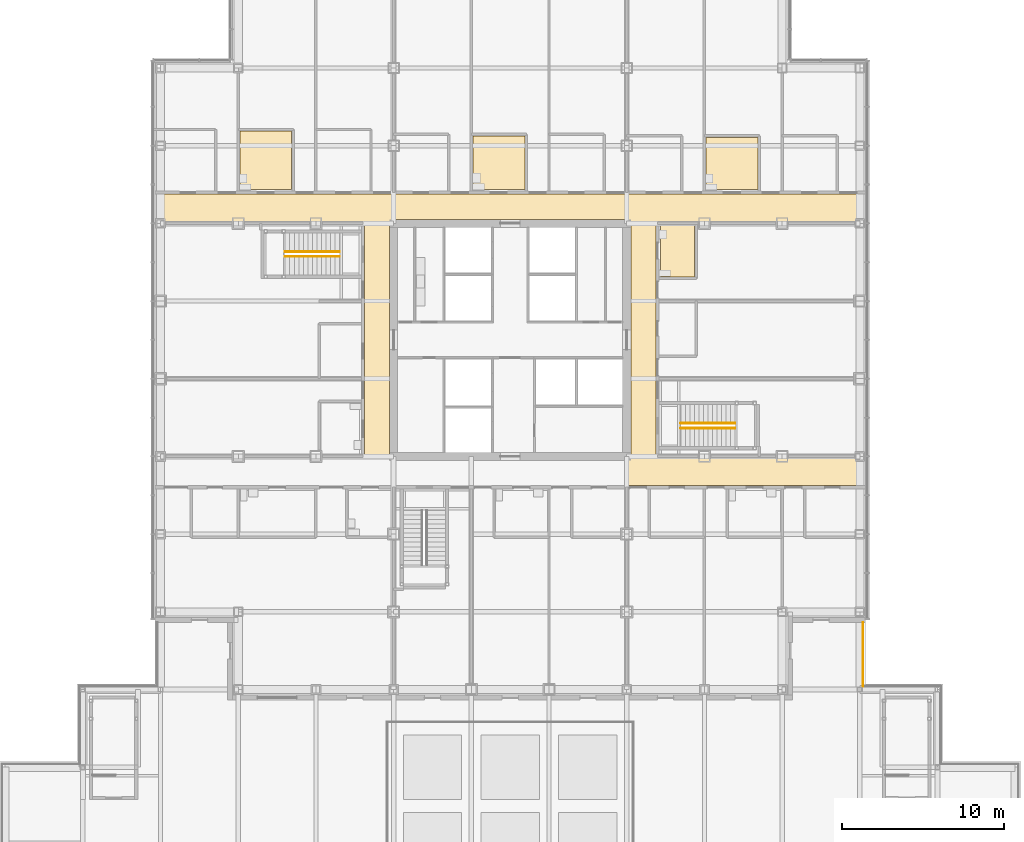
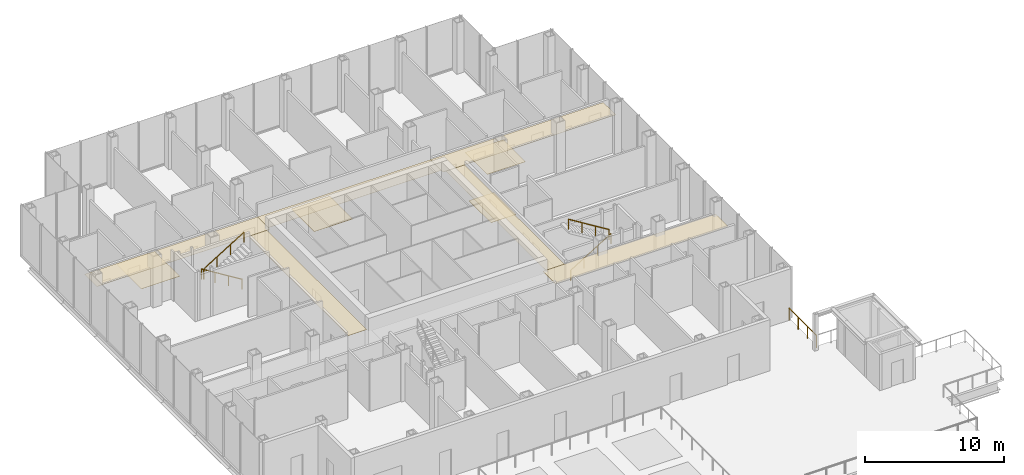
# One storey, part 22 of 24: 10 coverings, 5 railings.
"""IFC4 building model written with IfcOpenShell, lengths in metres."""

from ifc_helpers import new_model, si_unit, direction, frame, origin, origin_2d, place, context, subcontext, project, spatial, polyline, circle, outline, extrude, material, layer, layer_set, type_object, element, save


model = new_model("IFC4")

# Units and contexts
model_context = context("Model", 3, precision=1e-05, world=origin(), true_north=direction((0.0, 1.0)))
body_context = subcontext(model_context, "Body", "Model", "MODEL_VIEW")
ifc_project = project(units=[si_unit("LENGTHUNIT", "METRE"), si_unit("AREAUNIT", "SQUARE_METRE"), si_unit("VOLUMEUNIT", "CUBIC_METRE"), si_unit("PLANEANGLEUNIT", "RADIAN"), si_unit("MASSUNIT", "GRAM", prefix="KILO")], contexts=[model_context])

# Site, building, storey
site_placement = place(None, origin())
site = spatial("IfcSite", under=ifc_project, at=site_placement, CompositionType="ELEMENT")
building_placement = place(site_placement, origin())
building = spatial("IfcBuilding", under=site, at=building_placement, Name="Kvirike Care Tower", CompositionType="ELEMENT")
storey_placement = place(building_placement, frame((0.0, 0.0, 22.5)))
storey = spatial("IfcBuildingStorey", under=building, at=storey_placement, Name="L05", CompositionType="ELEMENT", Elevation=22.5)

# Coverings
ifc_material_1 = material(Name="Perforated metal ceiling tile", Category="aluminium")
ifc_layer_1 = layer(ifc_material_1, 0.014892578125)
ifc_layer_set_1 = layer_set([ifc_layer_1], Name="CORRIDOR CEILING 15")
covering_type_1 = type_object("IfcCoveringType", Name="CORRIDOR CEILING 15", PredefinedType="CEILING", material=ifc_layer_set_1)
covering_1_placement = place(storey_placement, frame((0.0, 0.0, 3.199951171875)))
element("IfcCovering", 1, at=covering_1_placement, inside=storey, type_object=covering_type_1, Name="Corridor ceiling L05", PredefinedType="CEILING", context=body_context, shape_type="SweptSolid", body=[
    extrude(outline(polyline([(12.60009765625, 43.199951171875), (14.14990234375, 43.199951171875), (14.14990234375, 28.800048828125), (12.60009765625, 28.800048828125), (12.60009765625, 43.199951171875)])), origin(), (0.0, 0.0, 1.0), 0.01513671875),
])
covering_2_placement = place(storey_placement, frame((0.0, 0.0, 3.199951171875)))
element("IfcCovering", 2, at=covering_2_placement, inside=storey, type_object=covering_type_1, Name="Corridor ceiling L05", PredefinedType="CEILING", context=body_context, shape_type="SweptSolid", body=[
    extrude(outline(polyline([(14.39990234375, 45.0), (14.39990234375, 43.199951171875), (0.0, 43.199951171875), (0.0, 45.0), (14.39990234375, 45.0)])), origin(), (0.0, 0.0, 1.0), 0.01513671875),
])
covering_3_placement = place(storey_placement, frame((0.0, 0.0, 3.199951171875)))
element("IfcCovering", 3, at=covering_3_placement, inside=storey, type_object=covering_type_1, Name="Corridor ceiling L05", PredefinedType="CEILING", context=body_context, shape_type="SweptSolid", body=[
    extrude(outline(polyline([(28.800048828125, 45.0), (28.800048828125, 43.449951171875), (14.39990234375, 43.449951171875), (14.39990234375, 45.0), (28.800048828125, 45.0)])), origin(), (0.0, 0.0, 1.0), 0.01513671875),
])
covering_4_placement = place(storey_placement, frame((0.0, 0.0, 3.199951171875)))
element("IfcCovering", 4, at=covering_4_placement, inside=storey, type_object=covering_type_1, Name="Corridor ceiling L05", PredefinedType="CEILING", context=body_context, shape_type="SweptSolid", body=[
    extrude(outline(polyline([(28.800048828125, 27.0), (28.800048828125, 28.800048828125), (43.199951171875, 28.800048828125), (43.199951171875, 27.0), (28.800048828125, 27.0)])), origin(), (0.0, 0.0, 1.0), 0.01513671875),
])
covering_5_placement = place(storey_placement, frame((0.0, 0.0, 3.199951171875)))
element("IfcCovering", 5, at=covering_5_placement, inside=storey, type_object=covering_type_1, Name="Corridor ceiling L05", PredefinedType="CEILING", context=body_context, shape_type="SweptSolid", body=[
    extrude(outline(polyline([(30.60009765625, 28.800048828125), (29.050048828125, 28.800048828125), (29.050048828125, 43.199951171875), (30.60009765625, 43.199951171875), (30.60009765625, 28.800048828125)])), origin(), (0.0, 0.0, 1.0), 0.01513671875),
])
covering_6_placement = place(storey_placement, frame((0.0, 0.0, 3.199951171875)))
element("IfcCovering", 6, at=covering_6_placement, inside=storey, type_object=covering_type_1, Name="Corridor ceiling L05", PredefinedType="CEILING", context=body_context, shape_type="SweptSolid", body=[
    extrude(outline(polyline([(43.199951171875, 45.0), (43.199951171875, 43.199951171875), (28.800048828125, 43.199951171875), (28.800048828125, 45.0), (43.199951171875, 45.0)])), origin(), (0.0, 0.0, 1.0), 0.01513671875),
])

# Railings
ifc_material_2 = material(Name="Stainless steel handrail", Category="steel")
railing_type_1 = type_object("IfcRailingType", Name="STAIR HANDRAIL 900", PredefinedType="HANDRAIL", material=ifc_material_2)
railing_1_placement = place(storey_placement, frame((11.06005859375, 41.449951171875, 0.173095703125)))
element("IfcRailing", 7, at=railing_1_placement, inside=storey, type_object=railing_type_1, Name="Stair 1 handrail L05 flight 1", PredefinedType="HANDRAIL", context=body_context, shape_type="SweptSolid", body=[
    extrude(circle(Radius=0.02490234375, at=origin_2d()), frame((0.0, 0.0, 0.875), z_axis=(-0.850623216509, 0.0, 0.525775754039), x_axis=(0.0, -1.0, 0.0)), (0.0, 0.0, 1.0), 3.9501953125),
    extrude(circle(Radius=0.02001953125, at=origin_2d()), origin(), (0.0, 0.0, 1.0), 0.849853515625),
    extrude(circle(Radius=0.02001953125, at=origin_2d()), frame((-1.1201171875, 0.0, 0.6923828125)), (0.0, 0.0, 1.0), 0.849853515625),
    extrude(circle(Radius=0.02001953125, at=origin_2d()), frame((-2.239990234375, 0.0, 1.384521484375)), (0.0, 0.0, 1.0), 0.849853515625),
    extrude(circle(Radius=0.02001953125, at=origin_2d()), frame((-3.360107421875, 0.0, 2.076904296875)), (0.0, 0.0, 1.0), 0.849853515625),
])
for number, where, name in (
    (8, (7.699951171875, 41.14990234375, 2.423095703125), "Stair 1 handrail L05 flight 2"),
    (9, (32.139892578125, 30.550048828125, 0.173095703125), "Stair 2 handrail L05 flight 1"),
):
    element("IfcRailing", number, at=place(storey_placement, frame(where)), inside=storey, type_object=railing_type_1, Name=name, PredefinedType="HANDRAIL", context=body_context, shape_type="SweptSolid", body=[
        extrude(circle(Radius=0.02490234375, at=origin_2d()), frame((0.0, 0.0, 0.875), z_axis=(0.850623216509, 0.0, 0.525775754039), x_axis=(0.0, 1.0, 0.0)), (0.0, 0.0, 1.0), 3.9501953125),
        extrude(circle(Radius=0.02001953125, at=origin_2d()), origin(), (0.0, 0.0, 1.0), 0.849853515625),
        extrude(circle(Radius=0.02001953125, at=origin_2d()), frame((1.1201171875, 0.0, 0.6923828125)), (0.0, 0.0, 1.0), 0.849853515625),
        extrude(circle(Radius=0.02001953125, at=origin_2d()), frame((2.239990234375, 0.0, 1.384521484375)), (0.0, 0.0, 1.0), 0.849853515625),
        extrude(circle(Radius=0.02001953125, at=origin_2d()), frame((3.360107421875, 0.0, 2.076904296875)), (0.0, 0.0, 1.0), 0.849853515625),
    ])
railing_2_placement = place(storey_placement, frame((35.5, 30.85009765625, 2.423095703125)))
element("IfcRailing", 10, at=railing_2_placement, inside=storey, type_object=railing_type_1, Name="Stair 2 handrail L05 flight 2", PredefinedType="HANDRAIL", context=body_context, shape_type="SweptSolid", body=[
    extrude(circle(Radius=0.02490234375, at=origin_2d()), frame((0.0, 0.0, 0.875), z_axis=(-0.850623216509, 0.0, 0.525775754039), x_axis=(0.0, -1.0, 0.0)), (0.0, 0.0, 1.0), 3.9501953125),
    extrude(circle(Radius=0.02001953125, at=origin_2d()), origin(), (0.0, 0.0, 1.0), 0.849853515625),
    extrude(circle(Radius=0.02001953125, at=origin_2d()), frame((-1.1201171875, 0.0, 0.6923828125)), (0.0, 0.0, 1.0), 0.849853515625),
    extrude(circle(Radius=0.02001953125, at=origin_2d()), frame((-2.239990234375, 0.0, 1.384521484375)), (0.0, 0.0, 1.0), 0.849853515625),
    extrude(circle(Radius=0.02001953125, at=origin_2d()), frame((-3.360107421875, 0.0, 2.076904296875)), (0.0, 0.0, 1.0), 0.849853515625),
])
ifc_material_3 = material(Name="Bronze-finish steel guard with glass infill", Category="steel")
railing_type_2 = type_object("IfcRailingType", Name="TERRACE GUARD 1100", PredefinedType="GUARDRAIL", material=ifc_material_3)
railing_3_placement = place(storey_placement, frame((43.39990234375, 14.60009765625, 0.0)))
element("IfcRailing", 11, at=railing_3_placement, inside=storey, type_object=railing_type_2, Name="Terrace guard L05 8", PredefinedType="GUARDRAIL", context=body_context, shape_type="SweptSolid", body=[
    extrude(circle(Radius=0.02392578125, at=origin_2d()), frame((0.0, 0.0, 1.076171875), z_axis=(0.0, 1.0, 0.0), x_axis=(-1.0, 0.0, 0.0)), (0.0, 0.0, 1.0), 3.949951171875),
    extrude(circle(Radius=0.02099609375, at=origin_2d()), origin(), (0.0, 0.0, 1.0), 1.052001953125),
    extrude(circle(Radius=0.02099609375, at=origin_2d()), frame((0.0, 1.316650390625, 0.0)), (0.0, 0.0, 1.0), 1.052001953125),
    extrude(circle(Radius=0.02099609375, at=origin_2d()), frame((0.0, 2.63330078125, 0.0)), (0.0, 0.0, 1.0), 1.052001953125),
    extrude(circle(Radius=0.02099609375, at=origin_2d()), frame((0.0, 3.949951171875, 0.0)), (0.0, 0.0, 1.0), 1.052001953125),
])

# Coverings
ifc_material_4 = material(Name="Slip-resistant vinyl safety flooring on screed")
ifc_layer_2 = layer(ifc_material_4, 0.02001953125)
ifc_layer_set_2 = layer_set([ifc_layer_2], Name="WET ROOM FLOOR 20")
covering_type_2 = type_object("IfcCoveringType", Name="WET ROOM FLOOR 20", PredefinedType="FLOORING", material=ifc_layer_set_2)
covering_7_placement = place(storey_placement, origin())
element("IfcCovering", 12, at=covering_7_placement, inside=storey, type_object=covering_type_2, Name="Staff WC floor L05-017", PredefinedType="FLOORING", context=body_context, shape_type="SweptSolid", body=[
    extrude(outline(polyline([(8.10009765625, 45.300048828125), (4.89990234375, 45.300048828125), (4.89990234375, 48.89990234375), (8.10009765625, 48.89990234375), (8.10009765625, 45.300048828125)])), origin(), (0.0, 0.0, 1.0), 0.02001953125),
])
covering_8_placement = place(storey_placement, origin())
element("IfcCovering", 13, at=covering_8_placement, inside=storey, type_object=covering_type_2, Name="Accessible WC floor L05-031", PredefinedType="FLOORING", context=body_context, shape_type="SweptSolid", body=[
    extrude(outline(polyline([(22.5, 45.300048828125), (19.300048828125, 45.300048828125), (19.300048828125, 48.60009765625), (22.5, 48.60009765625), (22.5, 45.300048828125)])), origin(), (0.0, 0.0, 1.0), 0.02001953125),
])
covering_9_placement = place(storey_placement, origin())
element("IfcCovering", 14, at=covering_9_placement, inside=storey, type_object=covering_type_2, Name="Staff WC floor L05-046", PredefinedType="FLOORING", context=body_context, shape_type="SweptSolid", body=[
    extrude(outline(polyline([(30.89990234375, 39.89990234375), (30.89990234375, 43.10009765625), (33.0, 43.10009765625), (33.0, 39.89990234375), (30.89990234375, 39.89990234375)])), origin(), (0.0, 0.0, 1.0), 0.02001953125),
])
covering_10_placement = place(storey_placement, origin())
element("IfcCovering", 15, at=covering_10_placement, inside=storey, type_object=covering_type_2, Name="Staff WC floor L05-052", PredefinedType="FLOORING", context=body_context, shape_type="SweptSolid", body=[
    extrude(outline(polyline([(36.89990234375, 45.300048828125), (33.699951171875, 45.300048828125), (33.699951171875, 48.5), (36.89990234375, 48.5), (36.89990234375, 45.300048828125)])), origin(), (0.0, 0.0, 1.0), 0.02001953125),
])

save(model, "model.ifc")
